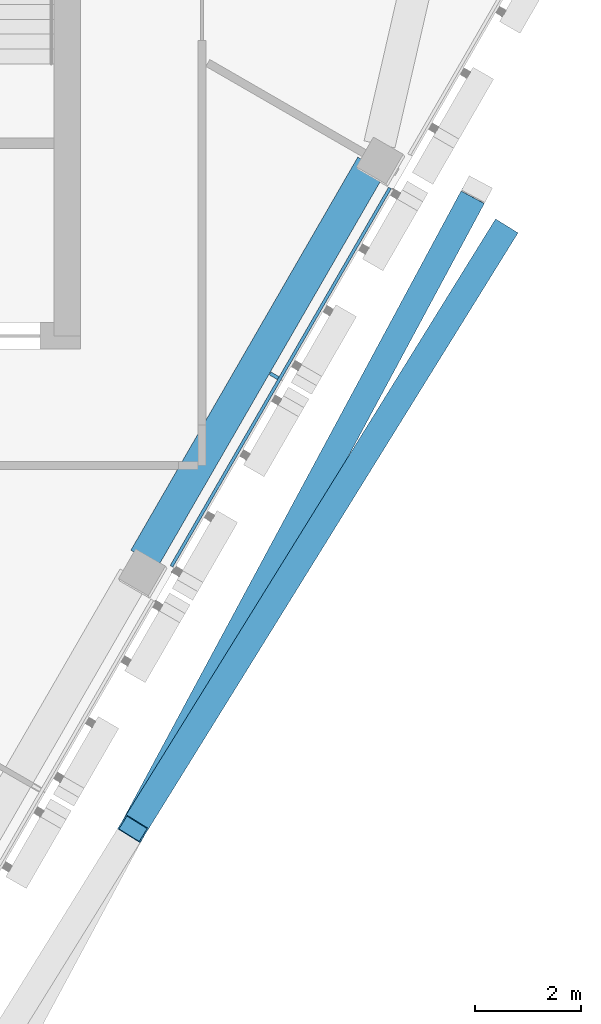
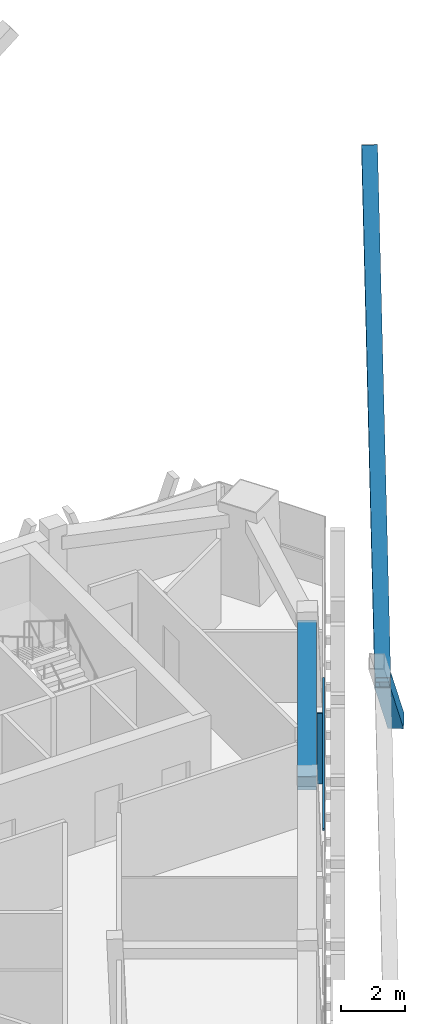
# One storey, part 4 of 12: 4 members, 1 beam, 1 element without a shape of its own.
"""IFC4 building model written with IfcOpenShell, lengths in metres."""

from ifc_helpers import new_model, si_unit, direction, frame, origin, origin_2d, place, context, subcontext, project, spatial, rectangle, hollow_rectangle, extrude, material, layer, layer_set, material_profile, profile_set, type_object, element, aggregate, save


model = new_model("IFC4")

# Units and contexts
model_context = context("Model", 3, precision=1e-05, world=origin(), true_north=direction((0.0, 1.0)))
body_context = subcontext(model_context, "Body", "Model", "MODEL_VIEW")
ifc_project = project(units=[si_unit("LENGTHUNIT", "METRE"), si_unit("AREAUNIT", "SQUARE_METRE"), si_unit("VOLUMEUNIT", "CUBIC_METRE"), si_unit("PLANEANGLEUNIT", "RADIAN"), si_unit("MASSUNIT", "GRAM", prefix="KILO")], contexts=[model_context])

# Site, building, storey
site_placement = place(None, origin())
site = spatial("IfcSite", under=ifc_project, at=site_placement, CompositionType="ELEMENT")
building_placement = place(site_placement, origin())
building = spatial("IfcBuilding", under=site, at=building_placement, Name="Altiplano Prism Tower", CompositionType="ELEMENT")
storey_placement = place(building_placement, frame((0.0, 0.0, 313.0)))
storey = spatial("IfcBuildingStorey", under=building, at=storey_placement, Name="L81", CompositionType="ELEMENT", Elevation=313.0)

# Curtain wall, members
ifc_material_1 = material(Name="Aluminium and glass", Category="aluminium")
ifc_layer = layer(ifc_material_1, 0.280029296875)
ifc_layer_set = layer_set([ifc_layer], Name="Aluminium and glass")
curtain_wall_type = type_object("IfcCurtainWallType", Name="CW1 typical co-living unitised curtain wall", PredefinedType="NOTDEFINED", material=ifc_layer_set)
curtain_wall_placement = place(storey_placement, origin())
curtain_wall = element("IfcCurtainWall", 1, at=curtain_wall_placement, inside=storey, type_object=curtain_wall_type, Name="CW1 curtain wall south-east face L81", PredefinedType="NOTDEFINED")
ifc_material_2 = material(Name="Aluminium", Category="aluminium")
ifc_material_profile_1 = material_profile(ifc_material_2, rectangle(XDim=0.179931640625, YDim=0.06494140625, at=origin_2d()), Name="CW1 mullion 65 x 180")
ifc_profile_set_1 = profile_set([ifc_material_profile_1], Name="Aluminium")
member_type_1 = type_object("IfcMemberType", Name="CW1 mullion 65 x 180", PredefinedType="MULLION", material=ifc_profile_set_1)
member_1_placement = place(storey_placement, frame((101.167236328125, 92.39599609375, 0.0), z_axis=(0.0, 0.0, 1.0), x_axis=(-0.866025401463, 0.500000004021, 0.0)))
member_1 = element("IfcMember", 2, at=member_1_placement, type_object=member_type_1, Name="CW1 mullion", PredefinedType="MULLION", context=body_context, shape_type="SweptSolid", body=[
    extrude(rectangle(XDim=0.179931640625, YDim=0.06494140625, at=origin_2d()), origin(), (0.0, 0.0, 1.0), 2.699951171875),
])
ifc_material_profile_2 = material_profile(ifc_material_2, rectangle(XDim=0.06005859375, YDim=0.080078125, at=origin_2d()), Name="CW1 transom 80 x 60")
ifc_profile_set_2 = profile_set([ifc_material_profile_2], Name="Aluminium")
member_type_2 = type_object("IfcMemberType", Name="CW1 transom 80 x 60", PredefinedType="USERDEFINED", material=ifc_profile_set_2)
member_2_placement = place(storey_placement, frame((99.223388671875, 88.789306640625, 1.10009765625), z_axis=(0.50000951748, 0.866019908795, 0.0), x_axis=(-0.866019908795, 0.50000951748, 0.0)))
member_2 = element("IfcMember", 3, at=member_2_placement, type_object=member_type_2, Name="CW1 transom", ObjectType="TRANSOM", PredefinedType="USERDEFINED", context=body_context, shape_type="SweptSolid", body=[
    extrude(rectangle(XDim=0.06005859375, YDim=0.080078125, at=origin_2d()), origin(), (0.0, 0.0, 1.0), 8.269775390625),
])
aggregate(curtain_wall, [member_1, member_2])

# Beam
ifc_material_3 = material(Name="Concrete C60/75", Category="concrete")
ifc_material_profile_3 = material_profile(ifc_material_3, rectangle(XDim=0.60009765625, YDim=0.5, at=origin_2d()), Name="Edge beam 600x500")
ifc_profile_set_3 = profile_set([ifc_material_profile_3], Name="Concrete C60/75")
beam_type = type_object("IfcBeamType", Name="Edge beam 600x500", PredefinedType="SPANDREL", material=ifc_profile_set_3)
beam_placement = place(storey_placement, frame((98.714599609375, 88.94482421875, 2.949951171875), z_axis=(0.499990619765, 0.866030819398, 0.0), x_axis=(-0.866030819398, 0.499990619765, 0.0)))
element("IfcBeam", 4, at=beam_placement, inside=storey, type_object=beam_type, Name="Edge beam P23-P24 L82", PredefinedType="SPANDREL", context=body_context, shape_type="SweptSolid", body=[
    extrude(rectangle(XDim=0.60009765625, YDim=0.5, at=origin_2d()), origin(), (0.0, 0.0, 1.0), 8.590087890625),
])

# Members
ifc_material_4 = material(Name="Steel S355", Category="steel")
ifc_material_profile_4 = material_profile(ifc_material_4, hollow_rectangle(XDim=0.5, YDim=0.5, WallThickness=0.02490234375, at=origin_2d()), Name="Mega brace Box 500x500x25")
ifc_profile_set_4 = profile_set([ifc_material_profile_4], Name="Steel S355")
member_type_3 = type_object("IfcMemberType", Name="Mega brace Box 500x500x25", PredefinedType="BRACE", material=ifc_profile_set_4)
member_3_placement = place(storey_placement, frame((98.4970703125, 83.822265625, 10.10009765625), z_axis=(0.371737782018, 0.691345437547, 0.619558316386), x_axis=(-0.880750216039, 0.473581098596, 0.0)))
element("IfcMember", 5, at=member_3_placement, inside=storey, type_object=member_type_3, Name="Mega brace 9.2.2", PredefinedType="BRACE", context=body_context, shape_type="SweptSolid", body=[
    extrude(hollow_rectangle(XDim=0.5, YDim=0.5, WallThickness=0.02490234375, at=origin_2d()), origin(), (0.0, 0.0, 1.0), 17.4873046875),
])
member_4_placement = place(storey_placement, frame((105.487060546875, 95.09814453125, -0.75), z_axis=(-0.407851811741, -0.657924759075, 0.633081283134), x_axis=(0.849938293125, -0.526882242897, 0.0)))
element("IfcMember", 6, at=member_4_placement, inside=storey, type_object=member_type_3, Name="Mega brace 9.2.3", PredefinedType="BRACE", context=body_context, shape_type="SweptSolid", body=[
    extrude(hollow_rectangle(XDim=0.5, YDim=0.5, WallThickness=0.02490234375, at=origin_2d()), origin(), (0.0, 0.0, 1.0), 17.138671875),
])

save(model, "model.ifc")
